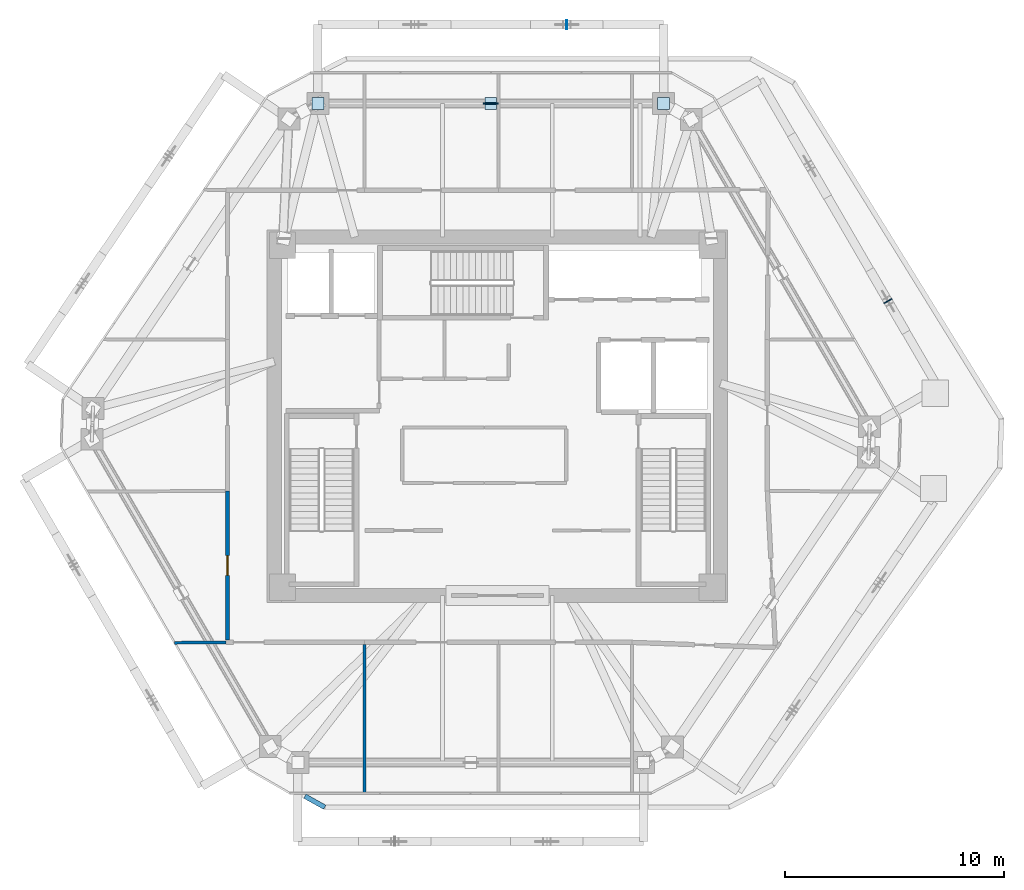
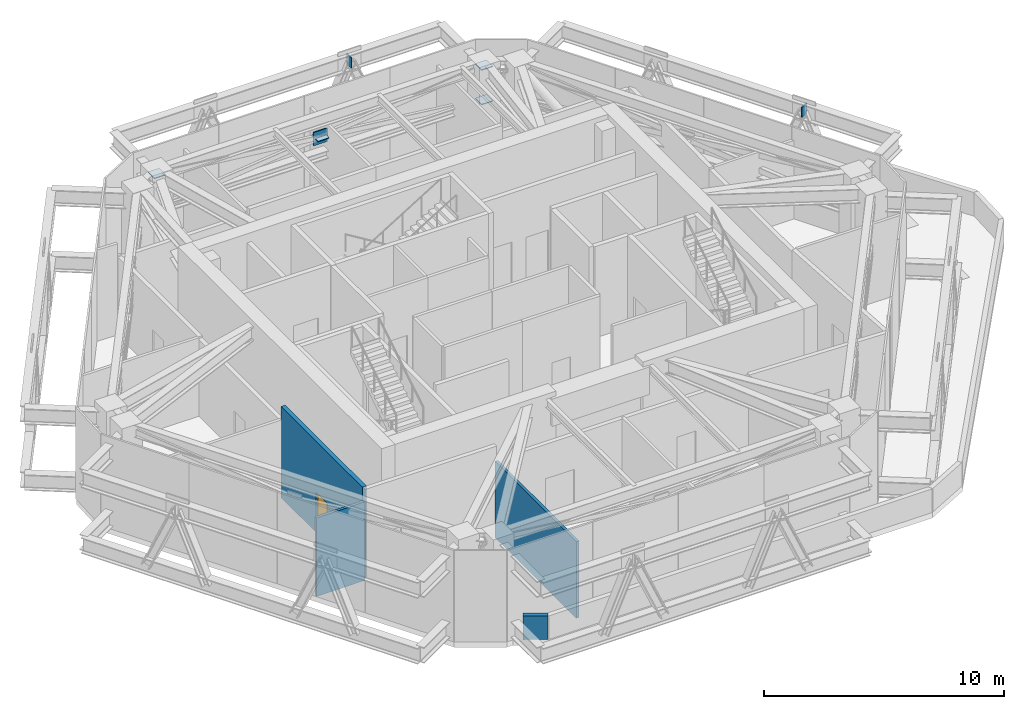
# One storey, part 6 of 10: 7 plates, 4 walls, 1 door, 1 opening.
"""IFC4 building model written with IfcOpenShell, lengths in metres."""

from ifc_helpers import new_model, si_unit, direction, frame, frame_2d, origin, origin_2d, place, context, subcontext, project, spatial, rectangle, extrude, source, transform, mapped, material, layer, layer_set, type_object, type_shapes, element, fill, save


model = new_model("IFC4")

# Units and contexts
model_context = context("Model", 3, precision=1e-05, world=origin(), true_north=direction((0.0, 1.0)))
body_context = subcontext(model_context, "Body", "Model", "MODEL_VIEW")
ifc_project = project(units=[si_unit("LENGTHUNIT", "METRE"), si_unit("AREAUNIT", "SQUARE_METRE"), si_unit("VOLUMEUNIT", "CUBIC_METRE"), si_unit("PLANEANGLEUNIT", "RADIAN"), si_unit("MASSUNIT", "GRAM", prefix="KILO")], contexts=[model_context])

# Site, building, storey
site_placement = place(None, origin())
site = spatial("IfcSite", under=ifc_project, at=site_placement, CompositionType="ELEMENT")
building_placement = place(site_placement, origin())
building = spatial("IfcBuilding", under=site, at=building_placement, Name="Durnholm Broadcast Tower", CompositionType="ELEMENT")
storey_placement = place(building_placement, frame((0.0, 0.0, 213.39990234375)))
storey = spatial("IfcBuildingStorey", under=building, at=storey_placement, Name="L59", CompositionType="ELEMENT", Elevation=213.39990234375)

# Plates
ifc_material_1 = material(Name="Steel ASTM A572 Grade 50", Category="steel")
ifc_layer_1 = layer(ifc_material_1, 0.0400390625)
ifc_layer_set_1 = layer_set([ifc_layer_1], Name="Steel ASTM A572 Grade 50")
plate_type_1 = type_object("IfcPlateType", Name="PLT-KN-CAP", PredefinedType="USERDEFINED", material=ifc_layer_set_1)
shared_shape_1 = source(origin(), body_context, "Body", "SweptSolid", [
    extrude(rectangle(XDim=0.5400390625, YDim=0.5400390625, at=origin_2d()), origin(), (0.0, 0.0, 1.0), 0.0400390625),
])
type_shapes(plate_type_1, [shared_shape_1])
for number, where, z_axis, x_axis, name in (
    (1, (7.57958984375, 14.261962890625, 2.530029296875), (0.0, 0.0, 1.0), (1.0, 0.0, 0.0), "L59 hollow section end cap plate BT-CH-L59-05 2"),
    (2, (7.57958984375, 14.261962890625, 4.2900390625), (0.0, 0.0, 1.0), (1.0, 0.0, 0.0), "L59 hollow section end cap plate BT-XCONT-L59-05 2"),
    (3, (-0.303955078125, 14.261962890625, 3.41015625), (0.0, 0.0, 1.0), (-1.0, 0.0, 0.0), "L59 hollow section end cap plate BT-XSPLIT-L59-05-1 2"),
    (4, (-8.187744140625, 14.261962890625, 4.2900390625), (0.0, 0.0, 1.0), (-1.0, 0.0, 0.0), "L59 hollow section end cap plate BT-XSPLIT-L59-05-2 2"),
):
    element("IfcPlate", number, at=place(storey_placement, frame(where, z_axis=z_axis, x_axis=x_axis)), inside=storey, type_object=plate_type_1, Name=name, ObjectType="CAP_PLATE", PredefinedType="USERDEFINED", context=body_context, shape_type="MappedRepresentation", body=[
        mapped(shared_shape_1, transform((0.0, 0.0, 0.0), x_axis=(1.0, 0.0, 0.0), y_axis=(0.0, 1.0, 0.0), z_axis=(0.0, 0.0, 1.0), scale=1.0)),
    ])
ifc_material_2 = material(Name="ASTM A572 Grade 50 Steel", Category="steel")
ifc_layer_2 = layer(ifc_material_2, 0.06005859375)
ifc_layer_set_2 = layer_set([ifc_layer_2], Name="ASTM A572 Grade 50 Steel")
plate_type_2 = type_object("IfcPlateType", Name="PLT-KN-X1", PredefinedType="USERDEFINED", material=ifc_layer_set_2)
shared_shape_2 = source(origin(), body_context, "Body", "SweptSolid", [
    extrude(rectangle(XDim=0.679931640625, YDim=0.06005859375, at=origin_2d()), origin(), (0.0, 0.0, 1.0), 0.679931640625),
])
type_shapes(plate_type_2, [shared_shape_2])
plate_placement = place(storey_placement, frame((-0.303955078125, 14.261962890625, 3.09033203125), z_axis=(0.0, 0.0, 1.0), x_axis=(1.0, 0.0, 0.0)))
element("IfcPlate", 5, at=plate_placement, inside=storey, type_object=plate_type_2, Name="L59 belt-truss X-brace crossing gusset plate 05", ObjectType="GUSSET_PLATE", PredefinedType="USERDEFINED", context=body_context, shape_type="MappedRepresentation", body=[
    mapped(shared_shape_2, transform((0.0, 0.0, 0.0), x_axis=(1.0, 0.0, 0.0), y_axis=(0.0, 1.0, 0.0), z_axis=(0.0, 0.0, 1.0), scale=1.0)),
])
ifc_layer_3 = layer(ifc_material_1, 0.044921875)
ifc_layer_set_3 = layer_set([ifc_layer_3], Name="Steel ASTM A572 Grade 50")
plate_type_3 = type_object("IfcPlateType", Name="PLT-KN-STIF", PredefinedType="SHEET", material=ifc_layer_set_3)
shared_shape_3 = source(origin(), body_context, "Body", "SweptSolid", [
    extrude(rectangle(XDim=0.044921875, YDim=0.419921875, at=origin_2d()), origin(), (0.0, 0.0, 1.0), 0.52001953125),
])
type_shapes(plate_type_3, [shared_shape_3])
for number, where, z_axis, x_axis, name in (
    (6, (17.806640625, 5.2548828125, 3.648681640625), (0.0, 0.0, 1.0), (-0.501963660617, 0.864888711581, 0.0), "L59 welded diagrid node stiffener plate F3"),
    (7, (3.164794921875, 17.862060546875, 3.648681640625), (0.0, 0.0, 1.0), (-1.0, 0.0, 0.0), "L59 welded diagrid node stiffener plate F4"),
):
    element("IfcPlate", number, at=place(storey_placement, frame(where, z_axis=z_axis, x_axis=x_axis)), inside=storey, type_object=plate_type_3, Name=name, PredefinedType="SHEET", context=body_context, shape_type="MappedRepresentation", body=[
        mapped(shared_shape_3, transform((0.0, 0.0, 0.0), x_axis=(1.0, 0.0, 0.0), y_axis=(0.0, 1.0, 0.0), z_axis=(0.0, 0.0, 1.0), scale=1.0)),
    ])

# Wall, opening, door
ifc_material_3 = material(Name="Fire-Rated Gypsum Shaftwall", Category="concrete")
ifc_layer_4 = layer(ifc_material_3, 0.199951171875)
ifc_layer_set_4 = layer_set([ifc_layer_4], Name="Fire-Rated Gypsum Shaftwall")
wall_type_1 = type_object("IfcWallType", Name="WALL-LOB-200", PredefinedType="SOLIDWALL", material=ifc_layer_set_4)
wall_1_placement = place(storey_placement, frame((-12.31005859375, -3.409912109375, 0.0), z_axis=(0.0, 0.0, 1.0), x_axis=(0.0, -1.0, 0.0)))
wall_1 = element("IfcWall", 8, at=wall_1_placement, inside=storey, type_object=wall_type_1, Name="L59 Mechanical Plant Room - Electrical Switchgear West corridor partition", PredefinedType="SOLIDWALL", context=body_context, shape_type="SweptSolid", body=[
    extrude(rectangle(XDim=6.796142578125, YDim=0.199951171875, at=frame_2d((3.39794921875, 0.0))), origin(), (0.0, 0.0, 1.0), 4.64501953125),
])
opening_placement = place(wall_1_placement, frame((2.947998046875, 0.0, 0.0)))
opening = element("IfcOpeningElement", 9, at=opening_placement, cuts=wall_1, Name="Opening DC-60R", PredefinedType="OPENING", context=body_context, shape_type="SweptSolid", body=[
    extrude(rectangle(XDim=0.89990234375, YDim=2.050048828125, at=frame_2d((0.449951171875, 1.02490234375))), frame((0.0, 0.10986328125, 0.0), z_axis=(0.0, -1.0, 0.0), x_axis=(1.0, 0.0, 0.0)), (0.0, 0.0, 1.0), 0.219970703125),
])
ifc_material_4 = material(Name="Fire-Rated Core Service Door", Category="steel")
ifc_layer_5 = layer(ifc_material_4, 0.050048828125)
ifc_layer_set_5 = layer_set([ifc_layer_5], Name="Fire-Rated Core Service Door")
door_type = type_object("IfcDoorType", Name="DOOR-CORE-FD60-R", OperationType="NOTDEFINED", PredefinedType="DOOR", material=ifc_layer_set_5)
shared_shape_4 = source(origin(), body_context, "Body", "SweptSolid", [
    extrude(rectangle(XDim=0.89990234375, YDim=2.050048828125, at=frame_2d((0.449951171875, 1.02490234375))), frame((0.0, 0.02490234375, 0.0), z_axis=(0.0, -1.0, 0.0), x_axis=(1.0, 0.0, 0.0)), (0.0, 0.0, 1.0), 0.050048828125),
])
type_shapes(door_type, [shared_shape_4])
door_placement = place(opening_placement, origin())
door = element("IfcDoor", 10, at=door_placement, inside=storey, type_object=door_type, Name="L59 Mechanical Plant Room - Electrical Switchgear West entrance door", OperationType="SINGLE_SWING_RIGHT", OverallHeight=2.050048828125, OverallWidth=0.89990234375, PredefinedType="DOOR", context=body_context, shape_type="MappedRepresentation", body=[
    mapped(shared_shape_4, transform((0.0, 0.0, 0.0), x_axis=(1.0, 0.0, 0.0), y_axis=(0.0, 1.0, 0.0), z_axis=(0.0, 0.0, 1.0), scale=1.0)),
])
fill(opening, door)

# Walls
ifc_material_5 = material(Name="Precast Concrete C40/50", Category="concrete")
ifc_layer_6 = layer(ifc_material_5, 0.219970703125)
ifc_layer_set_6 = layer_set([ifc_layer_6], Name="Precast Concrete C40/50")
wall_type_2 = type_object("IfcWallType", Name="WALL-PAR-220", PredefinedType="PARAPET", material=ifc_layer_set_6)
wall_2_placement = place(storey_placement, frame((-7.874755859375, -17.83203125, 0.0), z_axis=(0.0, 0.0, 1.0), x_axis=(-0.873358107893, 0.4870786542, 0.0)))
element("IfcWall", 11, at=wall_2_placement, inside=storey, type_object=wall_type_2, Name="L59 setback roof perimeter parapet 08", PredefinedType="PARAPET", context=body_context, shape_type="SweptSolid", body=[
    extrude(rectangle(XDim=1.0390625, YDim=0.219970703125, at=frame_2d((0.51953125, 0.0))), origin(), (0.0, 0.0, 1.0), 1.2001953125),
])
ifc_material_6 = material(Name="Gypsum Metal Stud Partition", Category="concrete")
ifc_layer_7 = layer(ifc_material_6, 0.135009765625)
ifc_layer_set_7 = layer_set([ifc_layer_7], Name="Gypsum Metal Stud Partition")
wall_type_3 = type_object("IfcWallType", Name="WALL-PART-135", PredefinedType="PARTITIONING", material=ifc_layer_set_7)
wall_3_placement = place(storey_placement, frame((-6.06005859375, -10.4140625, 0.0), z_axis=(0.0, 0.0, 1.0), x_axis=(0.0, -1.0, 0.0)))
element("IfcWall", 12, at=wall_3_placement, inside=storey, type_object=wall_type_3, Name="L59 room dividing partition 11.12", PredefinedType="PARTITIONING", context=body_context, shape_type="SweptSolid", body=[
    extrude(rectangle(XDim=6.77197265625, YDim=0.135009765625, at=frame_2d((3.385986328125, 0.0))), origin(), (0.0, 0.0, 1.0), 3.9013671875),
])
wall_4_placement = place(storey_placement, frame((-14.72607421875, -10.330078125, 0.0), z_axis=(0.0, 0.0, 1.0), x_axis=(0.99996592241, 0.008255544766, 0.0)))
element("IfcWall", 13, at=wall_4_placement, inside=storey, type_object=wall_type_3, Name="L59 room dividing partition 11.18", PredefinedType="PARTITIONING", context=body_context, shape_type="SweptSolid", body=[
    extrude(rectangle(XDim=2.336181640625, YDim=0.135009765625, at=frame_2d((1.16796875, 0.0))), origin(), (0.0, 0.0, 1.0), 3.998779296875),
])

save(model, "model.ifc")
